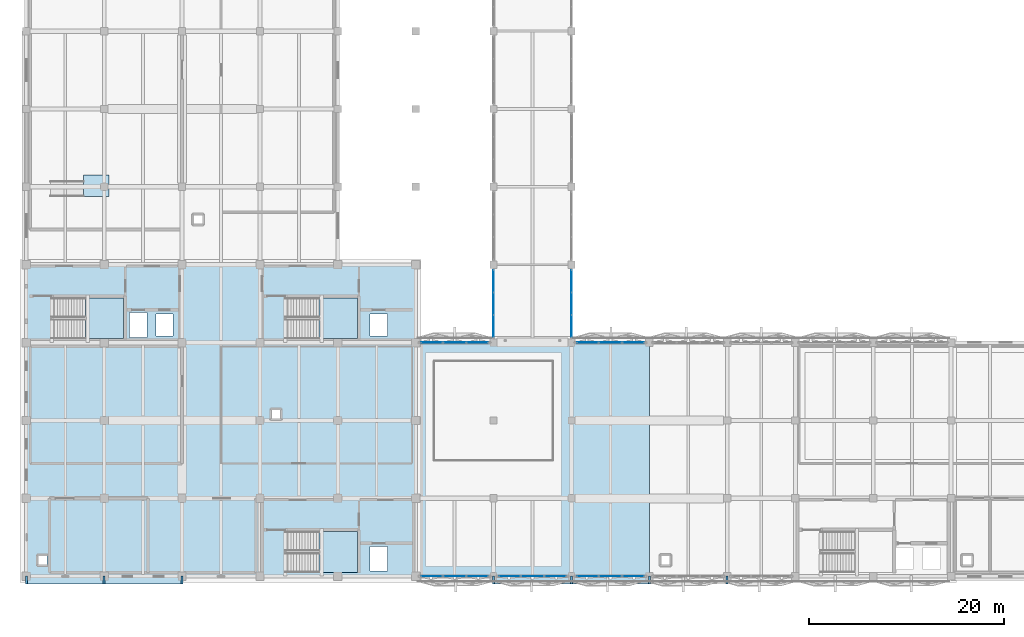
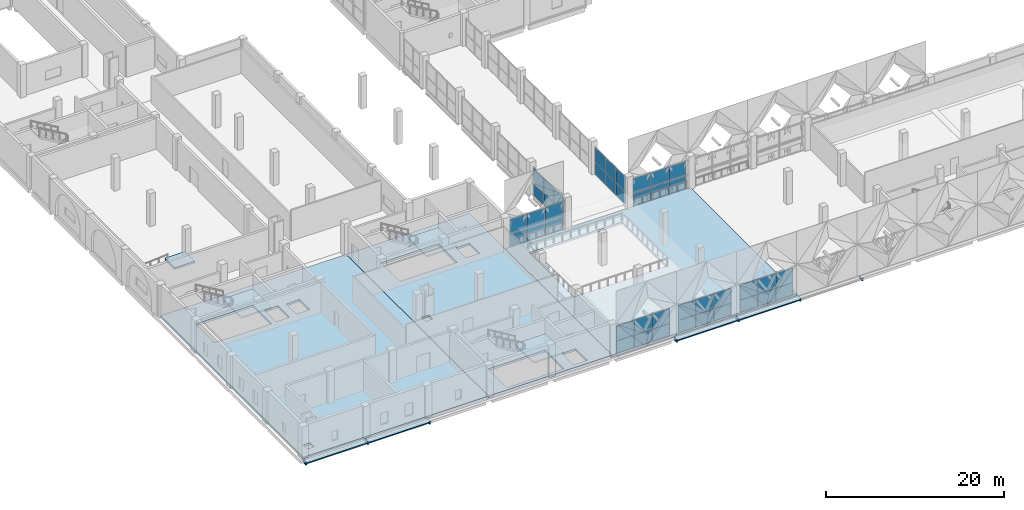
# One storey, part 22 of 53: 42 plates, 11 slabs, 7 beams, 14 elements without a shape of their own.
"""IFC4 building model written with IfcOpenShell, lengths in metres."""

from ifc_helpers import new_model, si_unit, direction, frame, origin, origin_2d, place, context, subcontext, project, spatial, polyline, rectangle, i_section, outline, extrude, material, layer, layer_set, material_profile, profile_set, type_object, element, aggregate, save


model = new_model("IFC4")

# Units and contexts
model_context = context("Model", 3, precision=1e-05, world=origin(), true_north=direction((0.0, 1.0)))
body_context = subcontext(model_context, "Body", "Model", "MODEL_VIEW")
ifc_project = project(units=[si_unit("LENGTHUNIT", "METRE"), si_unit("AREAUNIT", "SQUARE_METRE"), si_unit("VOLUMEUNIT", "CUBIC_METRE"), si_unit("PLANEANGLEUNIT", "RADIAN"), si_unit("MASSUNIT", "GRAM", prefix="KILO")], contexts=[model_context])

# Site, building, storey
site_placement = place(None, origin())
site = spatial("IfcSite", under=ifc_project, at=site_placement, CompositionType="ELEMENT")
building_placement = place(site_placement, origin())
building = spatial("IfcBuilding", under=site, at=building_placement, Name="Qorikala Patio Media Centre", CompositionType="ELEMENT")
storey_placement = place(building_placement, frame((0.0, 0.0, 5.39990234375)))
storey = spatial("IfcBuildingStorey", under=building, at=storey_placement, Name="L01", CompositionType="ELEMENT", Elevation=5.39990234375)

# Beams
ifc_material_1 = material(Name="Steel S355", Category="steel")
ifc_material_profile = material_profile(ifc_material_1, i_section(OverallWidth=0.202880859375, OverallDepth=0.302978515625, WebThickness=0.007568359375, FlangeThickness=0.01318359375, at=origin_2d()), Name="W310X60")
ifc_profile_set = profile_set([ifc_material_profile], Name="Steel S355")
beam_type = type_object("IfcBeamType", Name="SBM-W310X60-EXT", PredefinedType="BEAM", material=ifc_profile_set)
for number, where, z_axis, x_axis, name in (
    (1, (3.0, 2.219970703125, -0.449951171875), (0.0, 1.0, 0.0), (-1.0, 0.0, 0.0), "Entrance Canopy Outrigger Beam 1"),
    (2, (11.0, 2.219970703125, -0.449951171875), (0.0, 1.0, 0.0), (-1.0, 0.0, 0.0), "Entrance Canopy Outrigger Beam 2"),
    (3, (19.0, 2.219970703125, -0.449951171875), (0.0, 1.0, 0.0), (-1.0, 0.0, 0.0), "Entrance Canopy Outrigger Beam 3"),
    (4, (51.0, 2.219970703125, -0.449951171875), (0.0, 1.0, 0.0), (-1.0, 0.0, 0.0), "Entrance Canopy Outrigger Beam 4"),
    (5, (59.0, 2.219970703125, -0.449951171875), (0.0, 1.0, 0.0), (-1.0, 0.0, 0.0), "Entrance Canopy Outrigger Beam 5"),
    (6, (67.0, 2.219970703125, -0.449951171875), (0.0, 1.0, 0.0), (-1.0, 0.0, 0.0), "Entrance Canopy Outrigger Beam 6"),
    (7, (75.0, 2.219970703125, -0.449951171875), (0.0, 1.0, 0.0), (-1.0, 0.0, 0.0), "Entrance Canopy Outrigger Beam 7"),
):
    element("IfcBeam", number, at=place(storey_placement, frame(where, z_axis=z_axis, x_axis=x_axis)), inside=storey, type_object=beam_type, Name=name, PredefinedType="BEAM", context=body_context, shape_type="SweptSolid", body=[
        extrude(i_section(OverallWidth=0.202880859375, OverallDepth=0.302978515625, WebThickness=0.007568359375, FlangeThickness=0.01318359375, at=origin_2d()), origin(), (0.0, 0.0, 1.0), 0.780029296875),
    ])

# Curtain wall, plates
ifc_material_2 = material(Name="Bronze Anodised Aluminium and Low-E Glass", Category="aluminium")
ifc_layer_1 = layer(ifc_material_2, 0.159912109375)
ifc_layer_set_1 = layer_set([ifc_layer_1], Name="Bronze Anodised Aluminium and Low-E Glass")
curtain_wall_type_1 = type_object("IfcCurtainWallType", Name="CW-BRG-696X385", PredefinedType="USERDEFINED", material=ifc_layer_set_1)
curtain_wall_1_placement = place(storey_placement, origin())
curtain_wall_1 = element("IfcCurtainWall", 8, at=curtain_wall_1_placement, inside=storey, type_object=curtain_wall_type_1, Name="L01 Courtyard Curtain Wall 016", ObjectType="COURTYARD CURTAIN WALL", PredefinedType="USERDEFINED")
ifc_material_3 = material(Name="Low-E Double Glazing Glass", Category="glass")
ifc_layer_2 = layer(ifc_material_3, 0.028076171875)
ifc_layer_set_2 = layer_set([ifc_layer_2], Name="Low-E Double Glazing Glass")
plate_type_1 = type_object("IfcPlateType", Name="CWP-28", PredefinedType="CURTAIN_PANEL", material=ifc_layer_set_2)
plate_1_placement = place(storey_placement, frame((51.0, 28.695068359375, 0.06005859375), z_axis=(0.0, 0.0, 1.0), x_axis=(0.0, 1.0, 0.0)))
plate_1 = element("IfcPlate", 9, at=plate_1_placement, type_object=plate_type_1, Name="CWB696385 panel 1.1", PredefinedType="CURTAIN_PANEL", context=body_context, shape_type="SweptSolid", body=[
    extrude(rectangle(XDim=2.22998046875, YDim=0.028076171875, at=origin_2d()), origin(), (0.0, 0.0, 1.0), 1.642578125),
])
plate_2_placement = place(storey_placement, frame((51.0, 28.695068359375, 1.7626953125), z_axis=(0.0, 0.0, 1.0), x_axis=(0.0, 1.0, 0.0)))
plate_2 = element("IfcPlate", 10, at=plate_2_placement, type_object=plate_type_1, Name="CWB696385 panel 1.2", PredefinedType="CURTAIN_PANEL", context=body_context, shape_type="SweptSolid", body=[
    extrude(rectangle(XDim=2.22998046875, YDim=0.028076171875, at=origin_2d()), origin(), (0.0, 0.0, 1.0), 2.027587890625),
])
plate_3_placement = place(storey_placement, frame((51.0, 31.0, 0.06005859375), z_axis=(0.0, 0.0, 1.0), x_axis=(0.0, 1.0, 0.0)))
plate_3 = element("IfcPlate", 11, at=plate_3_placement, type_object=plate_type_1, Name="CWB696385 panel 2.1", PredefinedType="CURTAIN_PANEL", context=body_context, shape_type="SweptSolid", body=[
    extrude(rectangle(XDim=2.260009765625, YDim=0.028076171875, at=origin_2d()), origin(), (0.0, 0.0, 1.0), 1.642578125),
])
plate_4_placement = place(storey_placement, frame((51.0, 31.0, 1.7626953125), z_axis=(0.0, 0.0, 1.0), x_axis=(0.0, 1.0, 0.0)))
plate_4 = element("IfcPlate", 12, at=plate_4_placement, type_object=plate_type_1, Name="CWB696385 panel 2.2", PredefinedType="CURTAIN_PANEL", context=body_context, shape_type="SweptSolid", body=[
    extrude(rectangle(XDim=2.260009765625, YDim=0.028076171875, at=origin_2d()), origin(), (0.0, 0.0, 1.0), 2.027587890625),
])
plate_5_placement = place(storey_placement, frame((51.0, 33.304931640625, 0.06005859375), z_axis=(0.0, 0.0, 1.0), x_axis=(0.0, 1.0, 0.0)))
plate_5 = element("IfcPlate", 13, at=plate_5_placement, type_object=plate_type_1, Name="CWB696385 panel 3.1", PredefinedType="CURTAIN_PANEL", context=body_context, shape_type="SweptSolid", body=[
    extrude(rectangle(XDim=2.22998046875, YDim=0.028076171875, at=origin_2d()), origin(), (0.0, 0.0, 1.0), 1.642578125),
])
plate_6_placement = place(storey_placement, frame((51.0, 33.304931640625, 1.7626953125), z_axis=(0.0, 0.0, 1.0), x_axis=(0.0, 1.0, 0.0)))
plate_6 = element("IfcPlate", 14, at=plate_6_placement, type_object=plate_type_1, Name="CWB696385 panel 3.2", PredefinedType="CURTAIN_PANEL", context=body_context, shape_type="SweptSolid", body=[
    extrude(rectangle(XDim=2.22998046875, YDim=0.028076171875, at=origin_2d()), origin(), (0.0, 0.0, 1.0), 2.027587890625),
])
aggregate(curtain_wall_1, [plate_1, plate_2, plate_3, plate_4, plate_5, plate_6])

curtain_wall_2_placement = place(storey_placement, origin())
curtain_wall_2 = element("IfcCurtainWall", 15, at=curtain_wall_2_placement, inside=storey, type_object=curtain_wall_type_1, Name="L01 Courtyard Curtain Wall 029", ObjectType="COURTYARD CURTAIN WALL", PredefinedType="USERDEFINED")
plate_7_placement = place(storey_placement, frame((59.0, 33.304931640625, 0.06005859375), z_axis=(0.0, 0.0, 1.0), x_axis=(0.0, -1.0, 0.0)))
plate_7 = element("IfcPlate", 16, at=plate_7_placement, type_object=plate_type_1, Name="CWB696385 panel 1.1", PredefinedType="CURTAIN_PANEL", context=body_context, shape_type="SweptSolid", body=[
    extrude(rectangle(XDim=2.22998046875, YDim=0.028076171875, at=origin_2d()), origin(), (0.0, 0.0, 1.0), 1.642578125),
])
plate_8_placement = place(storey_placement, frame((59.0, 33.304931640625, 1.7626953125), z_axis=(0.0, 0.0, 1.0), x_axis=(0.0, -1.0, 0.0)))
plate_8 = element("IfcPlate", 17, at=plate_8_placement, type_object=plate_type_1, Name="CWB696385 panel 1.2", PredefinedType="CURTAIN_PANEL", context=body_context, shape_type="SweptSolid", body=[
    extrude(rectangle(XDim=2.22998046875, YDim=0.028076171875, at=origin_2d()), origin(), (0.0, 0.0, 1.0), 2.027587890625),
])
plate_9_placement = place(storey_placement, frame((59.0, 31.0, 0.06005859375), z_axis=(0.0, 0.0, 1.0), x_axis=(0.0, -1.0, 0.0)))
plate_9 = element("IfcPlate", 18, at=plate_9_placement, type_object=plate_type_1, Name="CWB696385 panel 2.1", PredefinedType="CURTAIN_PANEL", context=body_context, shape_type="SweptSolid", body=[
    extrude(rectangle(XDim=2.260009765625, YDim=0.028076171875, at=origin_2d()), origin(), (0.0, 0.0, 1.0), 1.642578125),
])
plate_10_placement = place(storey_placement, frame((59.0, 31.0, 1.7626953125), z_axis=(0.0, 0.0, 1.0), x_axis=(0.0, -1.0, 0.0)))
plate_10 = element("IfcPlate", 19, at=plate_10_placement, type_object=plate_type_1, Name="CWB696385 panel 2.2", PredefinedType="CURTAIN_PANEL", context=body_context, shape_type="SweptSolid", body=[
    extrude(rectangle(XDim=2.260009765625, YDim=0.028076171875, at=origin_2d()), origin(), (0.0, 0.0, 1.0), 2.027587890625),
])
plate_11_placement = place(storey_placement, frame((59.0, 28.695068359375, 0.06005859375), z_axis=(0.0, 0.0, 1.0), x_axis=(0.0, -1.0, 0.0)))
plate_11 = element("IfcPlate", 20, at=plate_11_placement, type_object=plate_type_1, Name="CWB696385 panel 3.1", PredefinedType="CURTAIN_PANEL", context=body_context, shape_type="SweptSolid", body=[
    extrude(rectangle(XDim=2.22998046875, YDim=0.028076171875, at=origin_2d()), origin(), (0.0, 0.0, 1.0), 1.642578125),
])
plate_12_placement = place(storey_placement, frame((59.0, 28.695068359375, 1.7626953125), z_axis=(0.0, 0.0, 1.0), x_axis=(0.0, -1.0, 0.0)))
plate_12 = element("IfcPlate", 21, at=plate_12_placement, type_object=plate_type_1, Name="CWB696385 panel 3.2", PredefinedType="CURTAIN_PANEL", context=body_context, shape_type="SweptSolid", body=[
    extrude(rectangle(XDim=2.22998046875, YDim=0.028076171875, at=origin_2d()), origin(), (0.0, 0.0, 1.0), 2.027587890625),
])
aggregate(curtain_wall_2, [plate_7, plate_8, plate_9, plate_10, plate_11, plate_12])

ifc_material_4 = material(Name="Golden Bronze Anodised Aluminium and Low-E Glass", Category="aluminium")
ifc_layer_3 = layer(ifc_material_4, 0.159912109375)
ifc_layer_set_3 = layer_set([ifc_layer_3], Name="Golden Bronze Anodised Aluminium and Low-E Glass")
curtain_wall_type_2 = type_object("IfcCurtainWallType", Name="CW-DIA-696X385", PredefinedType="USERDEFINED", material=ifc_layer_set_3)
curtain_wall_3_placement = place(storey_placement, origin())
curtain_wall_3 = element("IfcCurtainWall", 22, at=curtain_wall_3_placement, inside=storey, type_object=curtain_wall_type_2, Name="L01 Courtyard Curtain Wall 015", ObjectType="COURTYARD CURTAIN WALL", PredefinedType="USERDEFINED")
ifc_material_5 = material(Name="Solar-Control Diamond Facet Glass", Category="glass")
ifc_layer_4 = layer(ifc_material_5, 0.035888671875)
ifc_layer_set_4 = layer_set([ifc_layer_4], Name="Solar-Control Diamond Facet Glass")
plate_type_2 = type_object("IfcPlateType", Name="CWP-36", PredefinedType="CURTAIN_PANEL", material=ifc_layer_set_4)
plate_13_placement = place(storey_placement, frame((44.6962890625, 27.0, 0.06494140625), z_axis=(0.0, 0.0, 1.0), x_axis=(1.0, 0.0, 0.0)))
plate_13 = element("IfcPlate", 23, at=plate_13_placement, type_object=plate_type_2, Name="CWD696385 panel 1.1", PredefinedType="CURTAIN_PANEL", context=body_context, shape_type="SweptSolid", body=[
    extrude(rectangle(XDim=2.222412109375, YDim=0.035888671875, at=origin_2d()), origin(), (0.0, 0.0, 1.0), 1.635009765625),
])
plate_14_placement = place(storey_placement, frame((44.6962890625, 27.0, 1.76513671875), z_axis=(0.0, 0.0, 1.0), x_axis=(1.0, 0.0, 0.0)))
plate_14 = element("IfcPlate", 24, at=plate_14_placement, type_object=plate_type_2, Name="CWD696385 panel 1.2", PredefinedType="CURTAIN_PANEL", context=body_context, shape_type="SweptSolid", body=[
    extrude(rectangle(XDim=2.222412109375, YDim=0.035888671875, at=origin_2d()), origin(), (0.0, 0.0, 1.0), 2.02001953125),
])
plate_15_placement = place(storey_placement, frame((47.0, 27.0, 0.06494140625), z_axis=(0.0, 0.0, 1.0), x_axis=(1.0, 0.0, 0.0)))
plate_15 = element("IfcPlate", 25, at=plate_15_placement, type_object=plate_type_2, Name="CWD696385 panel 2.1", PredefinedType="CURTAIN_PANEL", context=body_context, shape_type="SweptSolid", body=[
    extrude(rectangle(XDim=2.2548828125, YDim=0.035888671875, at=origin_2d()), origin(), (0.0, 0.0, 1.0), 1.635009765625),
])
plate_16_placement = place(storey_placement, frame((47.0, 27.0, 1.76513671875), z_axis=(0.0, 0.0, 1.0), x_axis=(1.0, 0.0, 0.0)))
plate_16 = element("IfcPlate", 26, at=plate_16_placement, type_object=plate_type_2, Name="CWD696385 panel 2.2", PredefinedType="CURTAIN_PANEL", context=body_context, shape_type="SweptSolid", body=[
    extrude(rectangle(XDim=2.2548828125, YDim=0.035888671875, at=origin_2d()), origin(), (0.0, 0.0, 1.0), 2.02001953125),
])
plate_17_placement = place(storey_placement, frame((49.3037109375, 27.0, 0.06494140625), z_axis=(0.0, 0.0, 1.0), x_axis=(1.0, 0.0, 0.0)))
plate_17 = element("IfcPlate", 27, at=plate_17_placement, type_object=plate_type_2, Name="CWD696385 panel 3.1", PredefinedType="CURTAIN_PANEL", context=body_context, shape_type="SweptSolid", body=[
    extrude(rectangle(XDim=2.222412109375, YDim=0.035888671875, at=origin_2d()), origin(), (0.0, 0.0, 1.0), 1.635009765625),
])
plate_18_placement = place(storey_placement, frame((49.3037109375, 27.0, 1.76513671875), z_axis=(0.0, 0.0, 1.0), x_axis=(1.0, 0.0, 0.0)))
plate_18 = element("IfcPlate", 28, at=plate_18_placement, type_object=plate_type_2, Name="CWD696385 panel 3.2", PredefinedType="CURTAIN_PANEL", context=body_context, shape_type="SweptSolid", body=[
    extrude(rectangle(XDim=2.222412109375, YDim=0.035888671875, at=origin_2d()), origin(), (0.0, 0.0, 1.0), 2.02001953125),
])
aggregate(curtain_wall_3, [plate_13, plate_14, plate_15, plate_16, plate_17, plate_18])

curtain_wall_4_placement = place(storey_placement, origin())
curtain_wall_4 = element("IfcCurtainWall", 29, at=curtain_wall_4_placement, inside=storey, type_object=curtain_wall_type_2, Name="L01 Courtyard Curtain Wall 030", ObjectType="COURTYARD CURTAIN WALL", PredefinedType="USERDEFINED")
plate_19_placement = place(storey_placement, frame((60.6962890625, 27.0, 0.06494140625), z_axis=(0.0, 0.0, 1.0), x_axis=(1.0, 0.0, 0.0)))
plate_19 = element("IfcPlate", 30, at=plate_19_placement, type_object=plate_type_2, Name="CWD696385 panel 1.1", PredefinedType="CURTAIN_PANEL", context=body_context, shape_type="SweptSolid", body=[
    extrude(rectangle(XDim=2.222412109375, YDim=0.035888671875, at=origin_2d()), origin(), (0.0, 0.0, 1.0), 1.635009765625),
])
plate_20_placement = place(storey_placement, frame((60.6962890625, 27.0, 1.76513671875), z_axis=(0.0, 0.0, 1.0), x_axis=(1.0, 0.0, 0.0)))
plate_20 = element("IfcPlate", 31, at=plate_20_placement, type_object=plate_type_2, Name="CWD696385 panel 1.2", PredefinedType="CURTAIN_PANEL", context=body_context, shape_type="SweptSolid", body=[
    extrude(rectangle(XDim=2.222412109375, YDim=0.035888671875, at=origin_2d()), origin(), (0.0, 0.0, 1.0), 2.02001953125),
])
plate_21_placement = place(storey_placement, frame((63.0, 27.0, 0.06494140625), z_axis=(0.0, 0.0, 1.0), x_axis=(1.0, 0.0, 0.0)))
plate_21 = element("IfcPlate", 32, at=plate_21_placement, type_object=plate_type_2, Name="CWD696385 panel 2.1", PredefinedType="CURTAIN_PANEL", context=body_context, shape_type="SweptSolid", body=[
    extrude(rectangle(XDim=2.2548828125, YDim=0.035888671875, at=origin_2d()), origin(), (0.0, 0.0, 1.0), 1.635009765625),
])
plate_22_placement = place(storey_placement, frame((63.0, 27.0, 1.76513671875), z_axis=(0.0, 0.0, 1.0), x_axis=(1.0, 0.0, 0.0)))
plate_22 = element("IfcPlate", 33, at=plate_22_placement, type_object=plate_type_2, Name="CWD696385 panel 2.2", PredefinedType="CURTAIN_PANEL", context=body_context, shape_type="SweptSolid", body=[
    extrude(rectangle(XDim=2.2548828125, YDim=0.035888671875, at=origin_2d()), origin(), (0.0, 0.0, 1.0), 2.02001953125),
])
plate_23_placement = place(storey_placement, frame((65.3037109375, 27.0, 0.06494140625), z_axis=(0.0, 0.0, 1.0), x_axis=(1.0, 0.0, 0.0)))
plate_23 = element("IfcPlate", 34, at=plate_23_placement, type_object=plate_type_2, Name="CWD696385 panel 3.1", PredefinedType="CURTAIN_PANEL", context=body_context, shape_type="SweptSolid", body=[
    extrude(rectangle(XDim=2.222412109375, YDim=0.035888671875, at=origin_2d()), origin(), (0.0, 0.0, 1.0), 1.635009765625),
])
plate_24_placement = place(storey_placement, frame((65.3037109375, 27.0, 1.76513671875), z_axis=(0.0, 0.0, 1.0), x_axis=(1.0, 0.0, 0.0)))
plate_24 = element("IfcPlate", 35, at=plate_24_placement, type_object=plate_type_2, Name="CWD696385 panel 3.2", PredefinedType="CURTAIN_PANEL", context=body_context, shape_type="SweptSolid", body=[
    extrude(rectangle(XDim=2.222412109375, YDim=0.035888671875, at=origin_2d()), origin(), (0.0, 0.0, 1.0), 2.02001953125),
])
aggregate(curtain_wall_4, [plate_19, plate_20, plate_21, plate_22, plate_23, plate_24])

curtain_wall_5_placement = place(storey_placement, origin())
curtain_wall_5 = element("IfcCurtainWall", 36, at=curtain_wall_5_placement, inside=storey, type_object=curtain_wall_type_2, Name="L01 Courtyard Curtain Wall 037", ObjectType="COURTYARD CURTAIN WALL", PredefinedType="USERDEFINED")
plate_25_placement = place(storey_placement, frame((65.3037109375, 3.0, 0.06494140625), z_axis=(0.0, 0.0, 1.0), x_axis=(-1.0, 0.0, 0.0)))
plate_25 = element("IfcPlate", 37, at=plate_25_placement, type_object=plate_type_2, Name="CWD696385 panel 1.1", PredefinedType="CURTAIN_PANEL", context=body_context, shape_type="SweptSolid", body=[
    extrude(rectangle(XDim=2.222412109375, YDim=0.035888671875, at=origin_2d()), origin(), (0.0, 0.0, 1.0), 1.635009765625),
])
plate_26_placement = place(storey_placement, frame((65.3037109375, 3.0, 1.76513671875), z_axis=(0.0, 0.0, 1.0), x_axis=(-1.0, 0.0, 0.0)))
plate_26 = element("IfcPlate", 38, at=plate_26_placement, type_object=plate_type_2, Name="CWD696385 panel 1.2", PredefinedType="CURTAIN_PANEL", context=body_context, shape_type="SweptSolid", body=[
    extrude(rectangle(XDim=2.222412109375, YDim=0.035888671875, at=origin_2d()), origin(), (0.0, 0.0, 1.0), 2.02001953125),
])
plate_27_placement = place(storey_placement, frame((63.0, 3.0, 0.06494140625), z_axis=(0.0, 0.0, 1.0), x_axis=(-1.0, 0.0, 0.0)))
plate_27 = element("IfcPlate", 39, at=plate_27_placement, type_object=plate_type_2, Name="CWD696385 panel 2.1", PredefinedType="CURTAIN_PANEL", context=body_context, shape_type="SweptSolid", body=[
    extrude(rectangle(XDim=2.2548828125, YDim=0.035888671875, at=origin_2d()), origin(), (0.0, 0.0, 1.0), 1.635009765625),
])
plate_28_placement = place(storey_placement, frame((63.0, 3.0, 1.76513671875), z_axis=(0.0, 0.0, 1.0), x_axis=(-1.0, 0.0, 0.0)))
plate_28 = element("IfcPlate", 40, at=plate_28_placement, type_object=plate_type_2, Name="CWD696385 panel 2.2", PredefinedType="CURTAIN_PANEL", context=body_context, shape_type="SweptSolid", body=[
    extrude(rectangle(XDim=2.2548828125, YDim=0.035888671875, at=origin_2d()), origin(), (0.0, 0.0, 1.0), 2.02001953125),
])
plate_29_placement = place(storey_placement, frame((60.6962890625, 3.0, 0.06494140625), z_axis=(0.0, 0.0, 1.0), x_axis=(-1.0, 0.0, 0.0)))
plate_29 = element("IfcPlate", 41, at=plate_29_placement, type_object=plate_type_2, Name="CWD696385 panel 3.1", PredefinedType="CURTAIN_PANEL", context=body_context, shape_type="SweptSolid", body=[
    extrude(rectangle(XDim=2.222412109375, YDim=0.035888671875, at=origin_2d()), origin(), (0.0, 0.0, 1.0), 1.635009765625),
])
plate_30_placement = place(storey_placement, frame((60.6962890625, 3.0, 1.76513671875), z_axis=(0.0, 0.0, 1.0), x_axis=(-1.0, 0.0, 0.0)))
plate_30 = element("IfcPlate", 42, at=plate_30_placement, type_object=plate_type_2, Name="CWD696385 panel 3.2", PredefinedType="CURTAIN_PANEL", context=body_context, shape_type="SweptSolid", body=[
    extrude(rectangle(XDim=2.222412109375, YDim=0.035888671875, at=origin_2d()), origin(), (0.0, 0.0, 1.0), 2.02001953125),
])
aggregate(curtain_wall_5, [plate_25, plate_26, plate_27, plate_28, plate_29, plate_30])

curtain_wall_6_placement = place(storey_placement, origin())
curtain_wall_6 = element("IfcCurtainWall", 43, at=curtain_wall_6_placement, inside=storey, type_object=curtain_wall_type_2, Name="L01 Courtyard Curtain Wall 038", ObjectType="COURTYARD CURTAIN WALL", PredefinedType="USERDEFINED")
plate_31_placement = place(storey_placement, frame((57.3037109375, 3.0, 0.06494140625), z_axis=(0.0, 0.0, 1.0), x_axis=(-1.0, 0.0, 0.0)))
plate_31 = element("IfcPlate", 44, at=plate_31_placement, type_object=plate_type_2, Name="CWD696385 panel 1.1", PredefinedType="CURTAIN_PANEL", context=body_context, shape_type="SweptSolid", body=[
    extrude(rectangle(XDim=2.222412109375, YDim=0.035888671875, at=origin_2d()), origin(), (0.0, 0.0, 1.0), 1.635009765625),
])
plate_32_placement = place(storey_placement, frame((57.3037109375, 3.0, 1.76513671875), z_axis=(0.0, 0.0, 1.0), x_axis=(-1.0, 0.0, 0.0)))
plate_32 = element("IfcPlate", 45, at=plate_32_placement, type_object=plate_type_2, Name="CWD696385 panel 1.2", PredefinedType="CURTAIN_PANEL", context=body_context, shape_type="SweptSolid", body=[
    extrude(rectangle(XDim=2.222412109375, YDim=0.035888671875, at=origin_2d()), origin(), (0.0, 0.0, 1.0), 2.02001953125),
])
plate_33_placement = place(storey_placement, frame((55.0, 3.0, 0.06494140625), z_axis=(0.0, 0.0, 1.0), x_axis=(-1.0, 0.0, 0.0)))
plate_33 = element("IfcPlate", 46, at=plate_33_placement, type_object=plate_type_2, Name="CWD696385 panel 2.1", PredefinedType="CURTAIN_PANEL", context=body_context, shape_type="SweptSolid", body=[
    extrude(rectangle(XDim=2.2548828125, YDim=0.035888671875, at=origin_2d()), origin(), (0.0, 0.0, 1.0), 1.635009765625),
])
plate_34_placement = place(storey_placement, frame((55.0, 3.0, 1.76513671875), z_axis=(0.0, 0.0, 1.0), x_axis=(-1.0, 0.0, 0.0)))
plate_34 = element("IfcPlate", 47, at=plate_34_placement, type_object=plate_type_2, Name="CWD696385 panel 2.2", PredefinedType="CURTAIN_PANEL", context=body_context, shape_type="SweptSolid", body=[
    extrude(rectangle(XDim=2.2548828125, YDim=0.035888671875, at=origin_2d()), origin(), (0.0, 0.0, 1.0), 2.02001953125),
])
plate_35_placement = place(storey_placement, frame((52.6962890625, 3.0, 0.06494140625), z_axis=(0.0, 0.0, 1.0), x_axis=(-1.0, 0.0, 0.0)))
plate_35 = element("IfcPlate", 48, at=plate_35_placement, type_object=plate_type_2, Name="CWD696385 panel 3.1", PredefinedType="CURTAIN_PANEL", context=body_context, shape_type="SweptSolid", body=[
    extrude(rectangle(XDim=2.222412109375, YDim=0.035888671875, at=origin_2d()), origin(), (0.0, 0.0, 1.0), 1.635009765625),
])
plate_36_placement = place(storey_placement, frame((52.6962890625, 3.0, 1.76513671875), z_axis=(0.0, 0.0, 1.0), x_axis=(-1.0, 0.0, 0.0)))
plate_36 = element("IfcPlate", 49, at=plate_36_placement, type_object=plate_type_2, Name="CWD696385 panel 3.2", PredefinedType="CURTAIN_PANEL", context=body_context, shape_type="SweptSolid", body=[
    extrude(rectangle(XDim=2.222412109375, YDim=0.035888671875, at=origin_2d()), origin(), (0.0, 0.0, 1.0), 2.02001953125),
])
aggregate(curtain_wall_6, [plate_31, plate_32, plate_33, plate_34, plate_35, plate_36])

curtain_wall_7_placement = place(storey_placement, origin())
curtain_wall_7 = element("IfcCurtainWall", 50, at=curtain_wall_7_placement, inside=storey, type_object=curtain_wall_type_2, Name="L01 Courtyard Curtain Wall 039", ObjectType="COURTYARD CURTAIN WALL", PredefinedType="USERDEFINED")
plate_37_placement = place(storey_placement, frame((49.3037109375, 3.0, 0.06494140625), z_axis=(0.0, 0.0, 1.0), x_axis=(-1.0, 0.0, 0.0)))
plate_37 = element("IfcPlate", 51, at=plate_37_placement, type_object=plate_type_2, Name="CWD696385 panel 1.1", PredefinedType="CURTAIN_PANEL", context=body_context, shape_type="SweptSolid", body=[
    extrude(rectangle(XDim=2.222412109375, YDim=0.035888671875, at=origin_2d()), origin(), (0.0, 0.0, 1.0), 1.635009765625),
])
plate_38_placement = place(storey_placement, frame((49.3037109375, 3.0, 1.76513671875), z_axis=(0.0, 0.0, 1.0), x_axis=(-1.0, 0.0, 0.0)))
plate_38 = element("IfcPlate", 52, at=plate_38_placement, type_object=plate_type_2, Name="CWD696385 panel 1.2", PredefinedType="CURTAIN_PANEL", context=body_context, shape_type="SweptSolid", body=[
    extrude(rectangle(XDim=2.222412109375, YDim=0.035888671875, at=origin_2d()), origin(), (0.0, 0.0, 1.0), 2.02001953125),
])
plate_39_placement = place(storey_placement, frame((47.0, 3.0, 0.06494140625), z_axis=(0.0, 0.0, 1.0), x_axis=(-1.0, 0.0, 0.0)))
plate_39 = element("IfcPlate", 53, at=plate_39_placement, type_object=plate_type_2, Name="CWD696385 panel 2.1", PredefinedType="CURTAIN_PANEL", context=body_context, shape_type="SweptSolid", body=[
    extrude(rectangle(XDim=2.2548828125, YDim=0.035888671875, at=origin_2d()), origin(), (0.0, 0.0, 1.0), 1.635009765625),
])
plate_40_placement = place(storey_placement, frame((47.0, 3.0, 1.76513671875), z_axis=(0.0, 0.0, 1.0), x_axis=(-1.0, 0.0, 0.0)))
plate_40 = element("IfcPlate", 54, at=plate_40_placement, type_object=plate_type_2, Name="CWD696385 panel 2.2", PredefinedType="CURTAIN_PANEL", context=body_context, shape_type="SweptSolid", body=[
    extrude(rectangle(XDim=2.2548828125, YDim=0.035888671875, at=origin_2d()), origin(), (0.0, 0.0, 1.0), 2.02001953125),
])
plate_41_placement = place(storey_placement, frame((44.6962890625, 3.0, 0.06494140625), z_axis=(0.0, 0.0, 1.0), x_axis=(-1.0, 0.0, 0.0)))
plate_41 = element("IfcPlate", 55, at=plate_41_placement, type_object=plate_type_2, Name="CWD696385 panel 3.1", PredefinedType="CURTAIN_PANEL", context=body_context, shape_type="SweptSolid", body=[
    extrude(rectangle(XDim=2.222412109375, YDim=0.035888671875, at=origin_2d()), origin(), (0.0, 0.0, 1.0), 1.635009765625),
])
plate_42_placement = place(storey_placement, frame((44.6962890625, 3.0, 1.76513671875), z_axis=(0.0, 0.0, 1.0), x_axis=(-1.0, 0.0, 0.0)))
plate_42 = element("IfcPlate", 56, at=plate_42_placement, type_object=plate_type_2, Name="CWD696385 panel 3.2", PredefinedType="CURTAIN_PANEL", context=body_context, shape_type="SweptSolid", body=[
    extrude(rectangle(XDim=2.222412109375, YDim=0.035888671875, at=origin_2d()), origin(), (0.0, 0.0, 1.0), 2.02001953125),
])
aggregate(curtain_wall_7, [plate_37, plate_38, plate_39, plate_40, plate_41, plate_42])

# Slabs
ifc_material_6 = material(Name="Concrete C35/45", Category="concrete")
ifc_layer_5 = layer(ifc_material_6, 0.300048828125)
ifc_layer_set_5 = layer_set([ifc_layer_5], Name="Concrete C35/45")
slab_type_1 = type_object("IfcSlabType", Name="SL-FLOOR-300", PredefinedType="FLOOR", material=ifc_layer_set_5)
slab_1_placement = place(storey_placement, frame((0.0, 0.0, -0.2998046875)))
element("IfcSlab", 57, at=slab_1_placement, inside=storey, type_object=slab_type_1, Name="L01 V1A Slab 1.1", PredefinedType="FLOOR", context=body_context, shape_type="SweptSolid", body=[
    extrude(outline(polyline([(3.0, 35.0), (27.0, 35.0), (27.0, 3.0), (3.0, 3.0), (3.0, 35.0)]), holes=[polyline([(5.10009765625, 4.199951171875), (5.10009765625, 5.10009765625), (4.199951171875, 5.10009765625), (4.199951171875, 4.199951171875), (5.10009765625, 4.199951171875)]), polyline([(15.3798828125, 27.52001953125), (15.3798828125, 30.080078125), (13.6201171875, 30.080078125), (13.6201171875, 27.52001953125), (15.3798828125, 27.52001953125)]), polyline([(16.320068359375, 27.669921875), (18.080078125, 27.669921875), (18.080078125, 29.929931640625), (16.320068359375, 29.929931640625), (16.320068359375, 27.669921875)]), polyline([(13.0, 27.39990234375), (13.0, 31.60009765625), (5.60009765625, 31.60009765625), (5.60009765625, 27.39990234375), (13.0, 27.39990234375)])]), origin(), (0.0, 0.0, 1.0), 0.2998046875),
])
slab_2_placement = place(storey_placement, frame((0.0, 0.0, -0.2998046875)))
element("IfcSlab", 58, at=slab_2_placement, inside=storey, type_object=slab_type_1, Name="L01 V1B Slab 2.1", PredefinedType="FLOOR", context=body_context, shape_type="SweptSolid", body=[
    extrude(outline(polyline([(43.0, 3.0), (27.0, 3.0), (27.0, 35.0), (43.0, 35.0), (43.0, 3.0)]), holes=[polyline([(29.60009765625, 3.39990234375), (37.0, 3.39990234375), (37.0, 7.60009765625), (29.60009765625, 7.60009765625), (29.60009765625, 3.39990234375)]), polyline([(28.199951171875, 19.199951171875), (29.10009765625, 19.199951171875), (29.10009765625, 20.10009765625), (28.199951171875, 20.10009765625), (28.199951171875, 19.199951171875)]), polyline([(38.320068359375, 27.669921875), (40.080078125, 27.669921875), (40.080078125, 29.929931640625), (38.320068359375, 29.929931640625), (38.320068359375, 27.669921875)]), polyline([(29.60009765625, 27.39990234375), (37.0, 27.39990234375), (37.0, 31.60009765625), (29.60009765625, 31.60009765625), (29.60009765625, 27.39990234375)]), polyline([(38.320068359375, 3.52001953125), (40.080078125, 3.52001953125), (40.080078125, 6.080078125), (38.320068359375, 6.080078125), (38.320068359375, 3.52001953125)])]), origin(), (0.0, 0.0, 1.0), 0.2998046875),
])
slab_3_placement = place(storey_placement, frame((0.0, 0.0, -0.2998046875)))
element("IfcSlab", 59, at=slab_3_placement, inside=storey, type_object=slab_type_1, Name="L01 V2A Slab 3.1", PredefinedType="FLOOR", context=body_context, shape_type="SweptSolid", body=[
    extrude(outline(polyline([(67.0, 3.0), (43.0, 3.0), (43.0, 27.0), (67.0, 27.0), (67.0, 3.0)]), holes=[polyline([(57.0, 15.0), (57.0, 25.0), (45.0, 25.0), (45.0, 15.0), (57.0, 15.0)])]), origin(), (0.0, 0.0, 1.0), 0.2998046875),
])

# Stair, slab
ifc_material_7 = material(Name="Precast concrete C40/50", Category="concrete")
stair_type = type_object("IfcStairType", Name="ST-DL-26R173W200", PredefinedType="HALF_TURN_STAIR", material=ifc_material_7)
stair_1_placement = place(storey_placement, origin())
stair_1 = element("IfcStair", 60, at=stair_1_placement, inside=storey, type_object=stair_type, Name="L01 Core C1 Exit Stair ST-1", PredefinedType="HALF_TURN_STAIR")
ifc_layer_6 = layer(ifc_material_7, 0.199951171875)
ifc_layer_set_6 = layer_set([ifc_layer_6], Name="Precast concrete C40/50")
slab_type_2 = type_object("IfcSlabType", Name="SL-LAND-200", PredefinedType="LANDING", material=ifc_layer_set_6)
slab_4_placement = place(storey_placement, frame((0.0, 0.0, 2.050048828125)))
slab_4 = element("IfcSlab", 61, at=slab_4_placement, type_object=slab_type_2, Name="ST-1 landing 1", PredefinedType="LANDING", context=body_context, shape_type="SweptSolid", body=[
    extrude(outline(polyline([(33.080078125, 3.39990234375), (37.0, 3.39990234375), (37.0, 7.60009765625), (33.080078125, 7.60009765625), (33.080078125, 3.39990234375)])), origin(), (0.0, 0.0, 1.0), 0.199951171875),
])
aggregate(stair_1, [slab_4])

stair_2_placement = place(storey_placement, origin())
stair_2 = element("IfcStair", 62, at=stair_2_placement, inside=storey, type_object=stair_type, Name="L01 Core C2 Exit Stair ST-2", PredefinedType="HALF_TURN_STAIR")
slab_5_placement = place(storey_placement, frame((0.0, 0.0, 2.050048828125)))
slab_5 = element("IfcSlab", 63, at=slab_5_placement, type_object=slab_type_2, Name="ST-2 landing 1", PredefinedType="LANDING", context=body_context, shape_type="SweptSolid", body=[
    extrude(outline(polyline([(9.080078125, 27.39990234375), (13.0, 27.39990234375), (13.0, 31.60009765625), (9.080078125, 31.60009765625), (9.080078125, 27.39990234375)])), origin(), (0.0, 0.0, 1.0), 0.199951171875),
])
aggregate(stair_2, [slab_5])

stair_3_placement = place(storey_placement, origin())
stair_3 = element("IfcStair", 64, at=stair_3_placement, inside=storey, type_object=stair_type, Name="L01 Core C5 Exit Stair ST-5", PredefinedType="HALF_TURN_STAIR")
slab_6_placement = place(storey_placement, frame((0.0, 0.0, 2.050048828125)))
slab_6 = element("IfcSlab", 65, at=slab_6_placement, type_object=slab_type_2, Name="ST-5 landing 1", PredefinedType="LANDING", context=body_context, shape_type="SweptSolid", body=[
    extrude(outline(polyline([(33.080078125, 27.39990234375), (37.0, 27.39990234375), (37.0, 31.60009765625), (33.080078125, 31.60009765625), (33.080078125, 27.39990234375)])), origin(), (0.0, 0.0, 1.0), 0.199951171875),
])
aggregate(stair_3, [slab_6])

# Roof, slab
ifc_material_8 = material(Name="Terracotta Clay Tile and Steel S355", Category="masonry")
roof_type = type_object("IfcRoofType", Name="ROOF-HIP", PredefinedType="HIP_ROOF", material=ifc_material_8)
roof_1_placement = place(storey_placement, origin())
roof_1 = element("IfcRoof", 66, at=roof_1_placement, inside=storey, type_object=roof_type, Name="Avenue Entrance Canopy Bay 1", PredefinedType="HIP_ROOF")
ifc_layer_7 = layer(ifc_material_6, 0.260009765625)
ifc_layer_set_7 = layer_set([ifc_layer_7], Name="Concrete C35/45")
slab_type_3 = type_object("IfcSlabType", Name="SL-ROOF-180", PredefinedType="ROOF", material=ifc_layer_set_7)
slab_7_placement = place(storey_placement, frame((51.0, 2.219970703125, -0.2998046875), z_axis=(0.0, -0.302456649816, 0.95316314185), x_axis=(1.0, 0.0, 0.0)))
slab_7 = element("IfcSlab", 67, at=slab_7_placement, type_object=slab_type_3, Name="Entrance Canopy Laminated Roof Slab 1", PredefinedType="ROOF", context=body_context, shape_type="SweptSolid", body=[
    extrude(outline(polyline([(0.0, 0.0), (8.0, 0.0), (8.0, 0.6610903479773258), (0.0, 0.6610903479773258), (0.0, 0.0)])), origin(), (0.0, 0.0, -1.0), 0.199951171875),
])
aggregate(roof_1, [slab_7])

roof_2_placement = place(storey_placement, origin())
roof_2 = element("IfcRoof", 68, at=roof_2_placement, inside=storey, type_object=roof_type, Name="Avenue Entrance Canopy Bay 2", PredefinedType="HIP_ROOF")
slab_8_placement = place(storey_placement, frame((59.0, 2.219970703125, -0.2998046875), z_axis=(0.0, -0.302456649816, 0.95316314185), x_axis=(1.0, 0.0, 0.0)))
slab_8 = element("IfcSlab", 69, at=slab_8_placement, type_object=slab_type_3, Name="Entrance Canopy Laminated Roof Slab 2", PredefinedType="ROOF", context=body_context, shape_type="SweptSolid", body=[
    extrude(outline(polyline([(0.0, 0.0), (8.0, 0.0), (8.0, 0.6610903479773258), (0.0, 0.6610903479773258), (0.0, 0.0)])), origin(), (0.0, 0.0, -1.0), 0.199951171875),
])
aggregate(roof_2, [slab_8])

roof_3_placement = place(storey_placement, origin())
roof_3 = element("IfcRoof", 70, at=roof_3_placement, inside=storey, type_object=roof_type, Name="Avenue Entrance Canopy Bay 4", PredefinedType="HIP_ROOF")
slab_9_placement = place(storey_placement, frame((3.0, 2.219970703125, -0.2998046875), z_axis=(0.0, -0.302456649816, 0.95316314185), x_axis=(1.0, 0.0, 0.0)))
slab_9 = element("IfcSlab", 71, at=slab_9_placement, type_object=slab_type_3, Name="Entrance Canopy Laminated Roof Slab 4", PredefinedType="ROOF", context=body_context, shape_type="SweptSolid", body=[
    extrude(outline(polyline([(0.0, 0.0), (8.0, 0.0), (8.0, 0.6610903479773258), (0.0, 0.6610903479773258), (0.0, 0.0)])), origin(), (0.0, 0.0, -1.0), 0.199951171875),
])
aggregate(roof_3, [slab_9])

roof_4_placement = place(storey_placement, origin())
roof_4 = element("IfcRoof", 72, at=roof_4_placement, inside=storey, type_object=roof_type, Name="Avenue Entrance Canopy Bay 5", PredefinedType="HIP_ROOF")
slab_10_placement = place(storey_placement, frame((11.0, 2.219970703125, -0.2998046875), z_axis=(0.0, -0.302456649816, 0.95316314185), x_axis=(1.0, 0.0, 0.0)))
slab_10 = element("IfcSlab", 73, at=slab_10_placement, type_object=slab_type_3, Name="Entrance Canopy Laminated Roof Slab 5", PredefinedType="ROOF", context=body_context, shape_type="SweptSolid", body=[
    extrude(outline(polyline([(0.0, 0.0), (8.0, 0.0), (8.0, 0.6610903479773258), (0.0, 0.6610903479773258), (0.0, 0.0)])), origin(), (0.0, 0.0, -1.0), 0.199951171875),
])
aggregate(roof_4, [slab_10])

# Slab
ifc_layer_8 = layer(ifc_material_6, 0.280029296875)
ifc_layer_set_8 = layer_set([ifc_layer_8], Name="Concrete C35/45")
slab_type_4 = type_object("IfcSlabType", Name="SL-STUDIO-280", PredefinedType="FLOOR", material=ifc_layer_set_8)
slab_11_placement = place(storey_placement, origin())
element("IfcSlab", 74, at=slab_11_placement, inside=storey, type_object=slab_type_4, Name="L01 Accessible Raised Platform RP-02", PredefinedType="FLOOR", context=body_context, shape_type="SweptSolid", body=[
    extrude(outline(polyline([(8.860107421875, 42.0), (11.5, 42.0), (11.5, 44.199951171875), (8.860107421875, 44.199951171875), (8.860107421875, 42.0)])), origin(), (0.0, 0.0, 1.0), 0.239990234375),
])

save(model, "model.ifc")
